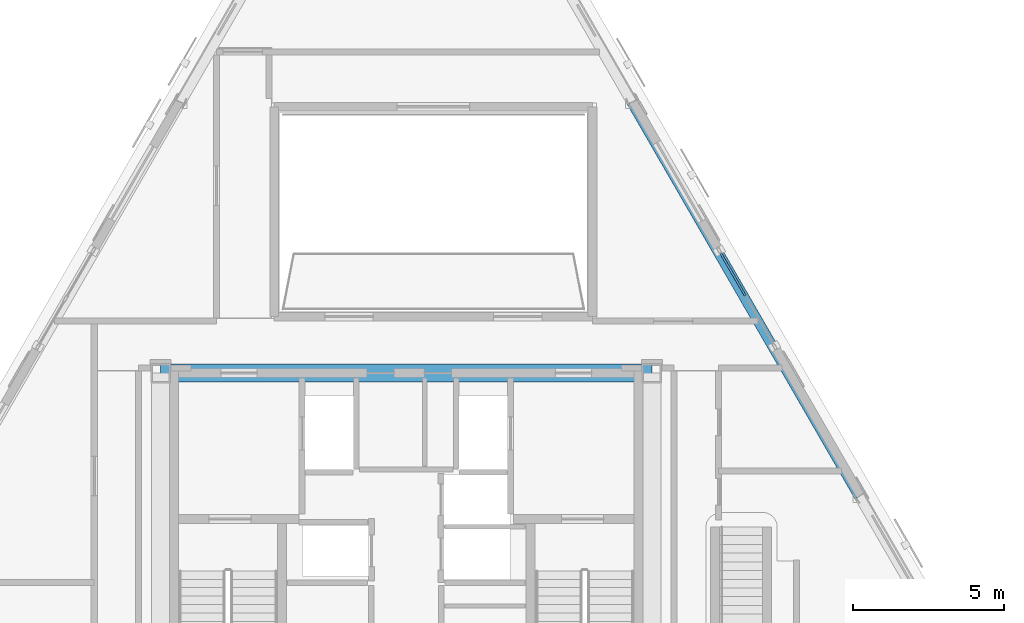
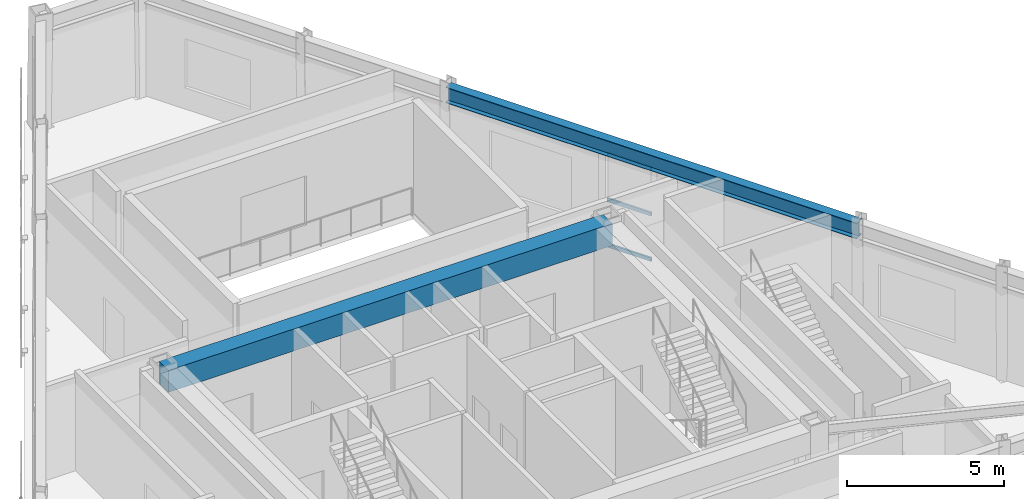
# One storey, part 5 of 15: 3 members, 2 beams, 1 element without a shape of its own.
"""IFC4 building model written with IfcOpenShell, lengths in metres."""

from ifc_helpers import new_model, si_unit, direction, frame, origin, origin_2d, place, context, subcontext, project, spatial, rectangle, hollow_rectangle, i_section, extrude, material, layer, layer_set, material_profile, profile_set, type_object, element, aggregate, save


model = new_model("IFC4")

# Units and contexts
model_context = context("Model", 3, precision=1e-05, world=origin(), true_north=direction((0.0, 1.0)))
body_context = subcontext(model_context, "Body", "Model", "MODEL_VIEW")
ifc_project = project(units=[si_unit("LENGTHUNIT", "METRE"), si_unit("AREAUNIT", "SQUARE_METRE"), si_unit("VOLUMEUNIT", "CUBIC_METRE"), si_unit("PLANEANGLEUNIT", "RADIAN"), si_unit("MASSUNIT", "GRAM", prefix="KILO")], contexts=[model_context])

# Site, building, storey
site_placement = place(None, origin())
site = spatial("IfcSite", under=ifc_project, at=site_placement, CompositionType="ELEMENT")
building_placement = place(site_placement, origin())
building = spatial("IfcBuilding", under=site, at=building_placement, Name="Oramaril Tower", CompositionType="ELEMENT")
storey_placement = place(building_placement, frame((0.0, 0.0, 305.10009765625)))
storey = spatial("IfcBuildingStorey", under=building, at=storey_placement, Name="L80", CompositionType="ELEMENT", Elevation=305.10009765625)

# Beams
ifc_material_1 = material(Name="Concrete C50/60", Category="concrete")
ifc_material_profile_1 = material_profile(ifc_material_1, rectangle(XDim=0.60009765625, YDim=0.85009765625, at=origin_2d()), Name="CB600X850")
ifc_profile_set_1 = profile_set([ifc_material_profile_1], Name="Concrete C50/60")
beam_type_1 = type_object("IfcBeamType", Name="BT-CB2", PredefinedType="BEAM", material=ifc_profile_set_1)
beam_1_placement = place(storey_placement, frame((45.64990234375, 24.14990234375, 3.85498046875), z_axis=(-1.0, 0.0, 0.0), x_axis=(0.0, -1.0, 0.0)))
element("IfcBeam", 1, at=beam_1_placement, inside=storey, type_object=beam_type_1, Name="L80 Core Header Beam CB-3", PredefinedType="BEAM", context=body_context, shape_type="SweptSolid", body=[
    extrude(rectangle(XDim=0.60009765625, YDim=0.85009765625, at=origin_2d()), origin(), (0.0, 0.0, 1.0), 16.2998046875),
])
ifc_material_2 = material(Name="Steel ASTM A572 Gr 50", Category="steel")
ifc_material_profile_2 = material_profile(ifc_material_2, i_section(OverallWidth=0.324951171875, OverallDepth=0.612060546875, WebThickness=0.0126953125, FlangeThickness=0.01904296875, at=origin_2d()), Name="W24X104")
ifc_profile_set_2 = profile_set([ifc_material_profile_2], Name="Steel ASTM A572 Gr 50")
beam_type_2 = type_object("IfcBeamType", Name="BT-SP5", PredefinedType="SPANDREL", material=ifc_profile_set_2)
beam_2_placement = place(storey_placement, frame((52.524658203125, 20.05810546875, 3.973876953125), z_axis=(-0.499994950766, 0.866028318941, 0.0), x_axis=(-0.866028318941, -0.499994950766, 0.0)))
element("IfcBeam", 2, at=beam_2_placement, inside=storey, type_object=beam_type_2, Name="L80 Perimeter Spandrel 10", PredefinedType="SPANDREL", context=body_context, shape_type="SweptSolid", body=[
    extrude(i_section(OverallWidth=0.324951171875, OverallDepth=0.612060546875, WebThickness=0.0126953125, FlangeThickness=0.01904296875, at=origin_2d()), origin(), (0.0, 0.0, 1.0), 15.097412109375),
])

# Curtain wall, members
ifc_material_3 = material(Name="Anodised Aluminium 6063-T6", Category="aluminium")
ifc_layer = layer(ifc_material_3, 0.219970703125)
ifc_layer_set = layer_set([ifc_layer], Name="CWT-SYS6")
curtain_wall_type = type_object("IfcCurtainWallType", Name="CWT-SYS6", PredefinedType="NOTDEFINED", material=ifc_layer_set)
curtain_wall_placement = place(storey_placement, origin())
curtain_wall = element("IfcCurtainWall", 3, at=curtain_wall_placement, inside=storey, type_object=curtain_wall_type, Name="L80 Unitised Curtain Wall CW-6", PredefinedType="NOTDEFINED")
ifc_material_4 = material(Name="Anodised Aluminium 6063-T6", Category="aluminium")
ifc_material_profile_3 = material_profile(ifc_material_4, hollow_rectangle(XDim=0.06494140625, YDim=0.139892578125, WallThickness=0.00390625, at=origin_2d()), Name="CWT140X65")
ifc_profile_set_3 = profile_set([ifc_material_profile_3], Name="Anodised Aluminium 6063-T6")
member_type = type_object("IfcMemberType", Name="MT-CWT2", PredefinedType="USERDEFINED", material=ifc_profile_set_3)
member_1_placement = place(storey_placement, frame((48.743408203125, 26.718505859375, 0.06982421875), z_axis=(-0.499996383721, 0.866027491634, 0.0), x_axis=(-0.866027491634, -0.499996383721, 0.0)))
member_1 = element("IfcMember", 4, at=member_1_placement, type_object=member_type, Name="CW-6 transom 2.1", ObjectType="TRANSOM", PredefinedType="USERDEFINED", context=body_context, shape_type="SweptSolid", body=[
    extrude(hollow_rectangle(XDim=0.06494140625, YDim=0.139892578125, WallThickness=0.00390625, at=origin_2d()), origin(), (0.0, 0.0, 1.0), 1.6201171875),
])
member_2_placement = place(storey_placement, frame((48.743408203125, 26.718505859375, 1.828857421875), z_axis=(-0.499996383721, 0.866027491634, 0.0), x_axis=(-0.866027491634, -0.499996383721, 0.0)))
member_2 = element("IfcMember", 5, at=member_2_placement, type_object=member_type, Name="CW-6 transom 2.2", ObjectType="TRANSOM", PredefinedType="USERDEFINED", context=body_context, shape_type="SweptSolid", body=[
    extrude(hollow_rectangle(XDim=0.06494140625, YDim=0.139892578125, WallThickness=0.00390625, at=origin_2d()), origin(), (0.0, 0.0, 1.0), 1.6201171875),
])
member_3_placement = place(storey_placement, frame((48.743408203125, 26.718505859375, 3.587890625), z_axis=(-0.499996383721, 0.866027491634, 0.0), x_axis=(-0.866027491634, -0.499996383721, 0.0)))
member_3 = element("IfcMember", 6, at=member_3_placement, type_object=member_type, Name="CW-6 transom 2.3", ObjectType="TRANSOM", PredefinedType="USERDEFINED", context=body_context, shape_type="SweptSolid", body=[
    extrude(hollow_rectangle(XDim=0.06494140625, YDim=0.139892578125, WallThickness=0.00390625, at=origin_2d()), origin(), (0.0, 0.0, 1.0), 1.6201171875),
])
aggregate(curtain_wall, [member_1, member_2, member_3])

save(model, "model.ifc")
